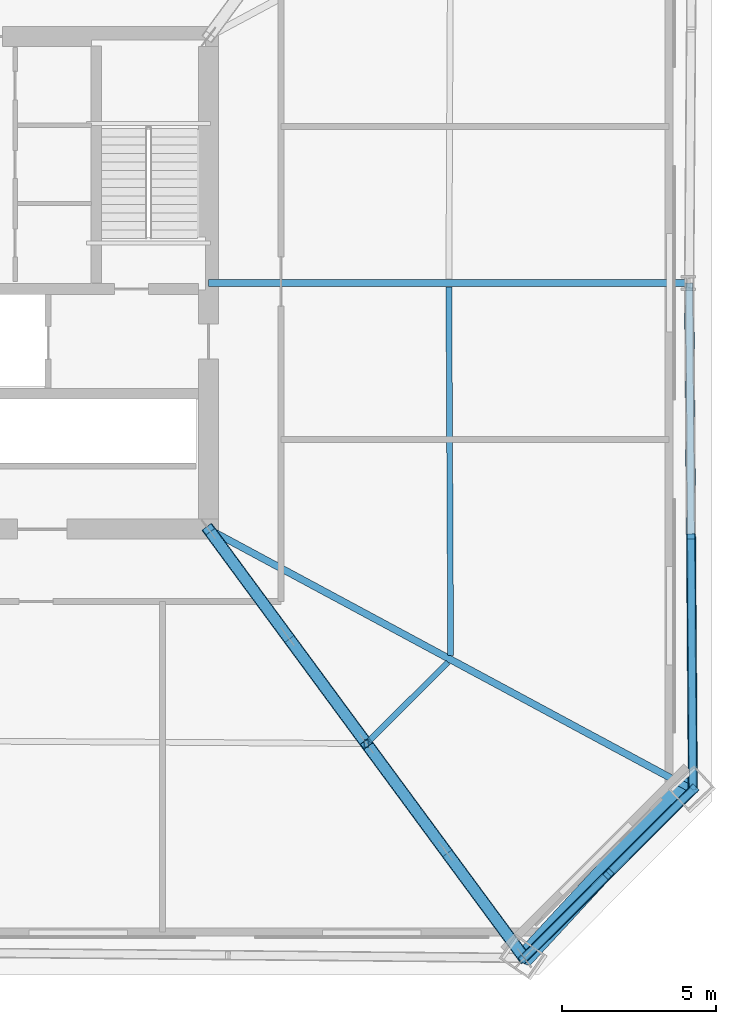
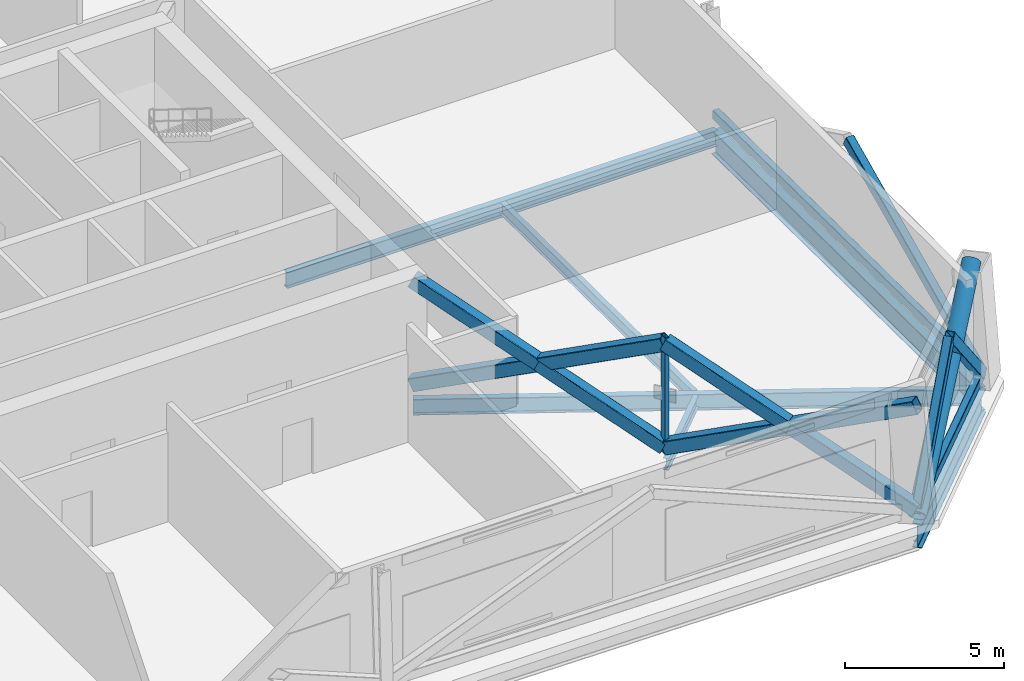
# One storey, part 4 of 14: 13 members, 6 beams.
"""IFC4 building model written with IfcOpenShell, lengths in metres."""

from ifc_helpers import new_model, si_unit, direction, frame, origin, origin_2d, place, context, subcontext, project, spatial, hollow_rectangle, hollow_circle, i_section, extrude, material, material_profile, profile_set, type_object, element, save


model = new_model("IFC4")

# Units and contexts
model_context = context("Model", 3, precision=1e-05, world=origin(), true_north=direction((0.0, 1.0)))
body_context = subcontext(model_context, "Body", "Model", "MODEL_VIEW")
ifc_project = project(units=[si_unit("LENGTHUNIT", "METRE"), si_unit("AREAUNIT", "SQUARE_METRE"), si_unit("VOLUMEUNIT", "CUBIC_METRE"), si_unit("PLANEANGLEUNIT", "RADIAN"), si_unit("MASSUNIT", "GRAM", prefix="KILO")], contexts=[model_context])

# Site, building, storey
site_placement = place(None, origin())
site = spatial("IfcSite", under=ifc_project, at=site_placement, CompositionType="ELEMENT")
building_placement = place(site_placement, origin())
building = spatial("IfcBuilding", under=site, at=building_placement, Name="Caelvoria Tower", CompositionType="ELEMENT")
storey_placement = place(building_placement, frame((0.0, 0.0, 85.60009765625)))
storey = spatial("IfcBuildingStorey", under=building, at=storey_placement, Name="L22", CompositionType="ELEMENT", Elevation=85.60009765625)

# Members
ifc_material_1 = material(Name="Structural Steel ASTM A572 Gr.50", Category="steel")
ifc_material_profile_1 = material_profile(ifc_material_1, hollow_rectangle(XDim=0.25, YDim=0.35009765625, WallThickness=0.013916015625, InnerFilletRadius=0.013916015625, OuterFilletRadius=0.028076171875, at=origin_2d()), Name="Structural Steel ASTM A572 Gr.50")
ifc_profile_set_1 = profile_set([ifc_material_profile_1], Name="HSS350X250X14 - Structural Steel ASTM A572 Gr.50")
member_type_1 = type_object("IfcMemberType", Name="Belt Truss Chord Member HSS350X250X14", PredefinedType="CHORD", material=ifc_profile_set_1)
member_1_placement = place(storey_placement, frame((65.25830078125, 10.07421875, 0.25), z_axis=(0.708242693493, 0.705969041186, 0.0), x_axis=(-0.705969041186, 0.708242693493, 0.0)))
element("IfcMember", 1, at=member_1_placement, inside=storey, type_object=member_type_1, Name="Belt Truss Bottom Chord L22-02", PredefinedType="CHORD", context=body_context, shape_type="SweptSolid", body=[
    extrude(hollow_rectangle(XDim=0.25, YDim=0.35009765625, WallThickness=0.013916015625, InnerFilletRadius=0.013916015625, OuterFilletRadius=0.028076171875, at=origin_2d()), origin(), (0.0, 0.0, 1.0), 7.731201171875),
])
member_2_placement = place(storey_placement, frame((70.73388671875, 15.5322265625, 0.25), z_axis=(-0.007323530098, 0.999973182594, 0.0), x_axis=(-0.999973182594, -0.007323530098, 0.0)))
element("IfcMember", 2, at=member_2_placement, inside=storey, type_object=member_type_1, Name="Belt Truss Bottom Chord L22-03", PredefinedType="CHORD", context=body_context, shape_type="SweptSolid", body=[
    extrude(hollow_rectangle(XDim=0.25, YDim=0.35009765625, WallThickness=0.013916015625, InnerFilletRadius=0.013916015625, OuterFilletRadius=0.028076171875, at=origin_2d()), origin(), (0.0, 0.0, 1.0), 16.46826171875),
])
ifc_material_profile_2 = material_profile(ifc_material_1, hollow_rectangle(XDim=0.300048828125, YDim=0.39990234375, WallThickness=0.01611328125, InnerFilletRadius=0.01611328125, OuterFilletRadius=0.031982421875, at=origin_2d()), Name="Structural Steel ASTM A572 Gr.50")
ifc_profile_set_2 = profile_set([ifc_material_profile_2], Name="HSS400X300X16 - Structural Steel ASTM A572 Gr.50")
member_type_2 = type_object("IfcMemberType", Name="Belt Truss Diagonal HSS400X300X16", PredefinedType="BRACE", material=ifc_profile_set_2)
for number, where, z_axis, x_axis, name in (
    (3, (65.25830078125, 10.07421875, 0.25), (0.493450508145, 0.491866397365, 0.717338165132), (-0.705969041186, 0.708242693493, 0.0), "Belt Truss Diagonal L22-02A"),
    (4, (67.99609375, 12.80322265625, 4.22998046875), (0.493450508145, 0.491866397365, -0.717338165132), (-0.705969041186, 0.708242693493, 0.0), "Belt Truss Diagonal L22-02B"),
):
    element("IfcMember", number, at=place(storey_placement, frame(where, z_axis=z_axis, x_axis=x_axis)), inside=storey, type_object=member_type_2, Name=name, PredefinedType="BRACE", context=body_context, shape_type="SweptSolid", body=[
        extrude(hollow_rectangle(XDim=0.300048828125, YDim=0.39990234375, WallThickness=0.01611328125, InnerFilletRadius=0.01611328125, OuterFilletRadius=0.031982421875, at=origin_2d()), origin(), (0.0, 0.0, 1.0), 5.54833984375),
    ])
member_3_placement = place(storey_placement, frame((70.73388671875, 15.5322265625, 0.25), z_axis=(-0.006593681882, 0.900317875093, 0.435183004203), x_axis=(-0.999973182594, -0.007323530098, 0.0)))
element("IfcMember", 5, at=member_3_placement, inside=storey, type_object=member_type_2, Name="Belt Truss Diagonal L22-03A", PredefinedType="BRACE", context=body_context, shape_type="SweptSolid", body=[
    extrude(hollow_rectangle(XDim=0.300048828125, YDim=0.39990234375, WallThickness=0.01611328125, InnerFilletRadius=0.01611328125, OuterFilletRadius=0.031982421875, at=origin_2d()), origin(), (0.0, 0.0, 1.0), 9.1455078125),
])
ifc_material_profile_3 = material_profile(ifc_material_1, hollow_circle(Radius=0.304931640625, WallThickness=0.02490234375, at=origin_2d()), Name="Structural Steel ASTM A572 Gr.50")
ifc_profile_set_3 = profile_set([ifc_material_profile_3], Name="CHS610X25 - Structural Steel ASTM A572 Gr.50")
member_type_3 = type_object("IfcMemberType", Name="Lower Perimeter Mega Brace CHS610X25", PredefinedType="BRACE", material=ifc_profile_set_3)
member_4_placement = place(storey_placement, frame((65.25830078125, 10.07421875, 0.0), z_axis=(0.587527871017, 0.635786068715, 0.500586731353), x_axis=(-0.734430016076, 0.678684427025, 0.0)))
element("IfcMember", 6, at=member_4_placement, inside=storey, type_object=member_type_3, Name="Perimeter Chamfer Mega Brace L22 SE", PredefinedType="BRACE", context=body_context, shape_type="SweptSolid", body=[
    extrude(hollow_circle(Radius=0.304931640625, WallThickness=0.02490234375, at=origin_2d()), origin(), (0.0, 0.0, 1.0), 8.949462890625),
])
ifc_material_profile_4 = material_profile(ifc_material_1, hollow_rectangle(XDim=0.39990234375, YDim=0.5, WallThickness=0.02197265625, InnerFilletRadius=0.02197265625, OuterFilletRadius=0.0439453125, at=origin_2d()), Name="Structural Steel ASTM A572 Gr.50")
ifc_profile_set_4 = profile_set([ifc_material_profile_4], Name="HSS500X400X22 - Structural Steel ASTM A572 Gr.50")
member_type_4 = type_object("IfcMemberType", Name="Outrigger Diagonal HSS500X400X22", PredefinedType="BRACE", material=ifc_profile_set_4)
member_5_placement = place(storey_placement, frame((55.0, 24.0, 0.25), z_axis=(0.538776675709, -0.731396581999, 0.418065465629), x_axis=(0.805133172892, 0.593094068348, 0.0)))
element("IfcMember", 7, at=member_5_placement, inside=storey, type_object=member_type_4, Name="Outrigger Truss Diagonal L22-SE-1A", PredefinedType="BRACE", context=body_context, shape_type="SweptSolid", body=[
    extrude(hollow_rectangle(XDim=0.39990234375, YDim=0.5, WallThickness=0.02197265625, InnerFilletRadius=0.02197265625, OuterFilletRadius=0.0439453125, at=origin_2d()), origin(), (0.0, 0.0, 1.0), 9.52001953125),
])
for number, where, z_axis, x_axis, name in (
    (8, (55.0, 24.0, 4.22998046875), (0.538758474541, -0.731406687638, -0.418071242001), (0.805146653518, 0.593075767781, 0.0), "Outrigger Truss Diagonal L22-SE-1B1"),
    (9, (57.564453125, 20.5185546875, 2.239990234375), (0.538794876123, -0.731386476298, -0.418059689222), (0.805119692301, 0.593112367996, 0.0), "Outrigger Truss Diagonal L22-SE-1B2"),
):
    element("IfcMember", number, at=place(storey_placement, frame(where, z_axis=z_axis, x_axis=x_axis)), inside=storey, type_object=member_type_4, Name=name, PredefinedType="BRACE", context=body_context, shape_type="SweptSolid", body=[
        extrude(hollow_rectangle(XDim=0.39990234375, YDim=0.5, WallThickness=0.02197265625, InnerFilletRadius=0.02197265625, OuterFilletRadius=0.0439453125, at=origin_2d()), origin(), (0.0, 0.0, 1.0), 4.760009765625),
    ])
member_6_placement = place(storey_placement, frame((60.129150390625, 17.037109375, 0.25), z_axis=(0.538776675709, -0.731396581999, 0.418065465629), x_axis=(0.805133172892, 0.593094068348, 0.0)))
element("IfcMember", 10, at=member_6_placement, inside=storey, type_object=member_type_4, Name="Outrigger Truss Diagonal L22-SE-2A", PredefinedType="BRACE", context=body_context, shape_type="SweptSolid", body=[
    extrude(hollow_rectangle(XDim=0.39990234375, YDim=0.5, WallThickness=0.02197265625, InnerFilletRadius=0.02197265625, OuterFilletRadius=0.0439453125, at=origin_2d()), origin(), (0.0, 0.0, 1.0), 9.52001953125),
])
for number, where, z_axis, x_axis, name in (
    (11, (60.129150390625, 17.037109375, 4.22998046875), (0.538758474541, -0.731406687638, -0.418071242001), (0.805146653518, 0.593075767781, 0.0), "Outrigger Truss Diagonal L22-SE-2B1"),
    (12, (62.693603515625, 13.5556640625, 2.239990234375), (0.538794876123, -0.731386476298, -0.418059689222), (0.805119692301, 0.593112367996, 0.0), "Outrigger Truss Diagonal L22-SE-2B2"),
):
    element("IfcMember", number, at=place(storey_placement, frame(where, z_axis=z_axis, x_axis=x_axis)), inside=storey, type_object=member_type_4, Name=name, PredefinedType="BRACE", context=body_context, shape_type="SweptSolid", body=[
        extrude(hollow_rectangle(XDim=0.39990234375, YDim=0.5, WallThickness=0.02197265625, InnerFilletRadius=0.02197265625, OuterFilletRadius=0.0439453125, at=origin_2d()), origin(), (0.0, 0.0, 1.0), 4.760009765625),
    ])

# Beams
ifc_material_2 = material(Name="Structural Steel ASTM A992 Gr.50", Category="steel")
ifc_material_profile_5 = material_profile(ifc_material_2, i_section(OverallWidth=0.30810546875, OverallDepth=0.927001953125, WebThickness=0.019287109375, FlangeThickness=0.031982421875, FilletRadius=0.02392578125, at=origin_2d()), Name="Structural Steel ASTM A992 Gr.50")
ifc_profile_set_5 = profile_set([ifc_material_profile_5], Name="W920X289 - Structural Steel ASTM A992 Gr.50")
beam_type_1 = type_object("IfcBeamType", Name="Outrigger Tie Girder W920X289", PredefinedType="BEAM", material=ifc_profile_set_5)
beam_1_placement = place(storey_placement, frame((65.25830078125, 10.07421875, -0.78369140625), z_axis=(0.708242693493, 0.705969041186, 0.0), x_axis=(-0.705969041186, 0.708242693493, 0.0)))
element("IfcBeam", 13, at=beam_1_placement, inside=storey, type_object=beam_type_1, Name="Perimeter Spandrel Girder L22-02", PredefinedType="BEAM", context=body_context, shape_type="SweptSolid", body=[
    extrude(i_section(OverallWidth=0.30810546875, OverallDepth=0.927001953125, WebThickness=0.019287109375, FlangeThickness=0.031982421875, FilletRadius=0.02392578125, at=origin_2d()), origin(), (0.0, 0.0, 1.0), 7.731201171875),
])
beam_2_placement = place(storey_placement, frame((70.73388671875, 15.5322265625, -0.78369140625), z_axis=(-0.007323530098, 0.999973182594, 0.0), x_axis=(-0.999973182594, -0.007323530098, 0.0)))
element("IfcBeam", 14, at=beam_2_placement, inside=storey, type_object=beam_type_1, Name="Perimeter Spandrel Girder L22-03", PredefinedType="BEAM", context=body_context, shape_type="SweptSolid", body=[
    extrude(i_section(OverallWidth=0.30810546875, OverallDepth=0.927001953125, WebThickness=0.019287109375, FlangeThickness=0.031982421875, FilletRadius=0.02392578125, at=origin_2d()), origin(), (0.0, 0.0, 1.0), 16.46826171875),
])
ifc_material_profile_6 = material_profile(ifc_material_2, i_section(OverallWidth=0.22900390625, OverallDepth=0.612060546875, WebThickness=0.011962890625, FlangeThickness=0.01953125, FilletRadius=0.01806640625, at=origin_2d()), Name="Structural Steel ASTM A992 Gr.50")
ifc_profile_set_6 = profile_set([ifc_material_profile_6], Name="W610X125 - Structural Steel ASTM A992 Gr.50")
beam_type_2 = type_object("IfcBeamType", Name="Primary Radial Floor Girder W610X125", PredefinedType="BEAM", material=ifc_profile_set_6)
beam_3_placement = place(storey_placement, frame((55.0, 24.0, -0.6259765625), z_axis=(0.880571990925, -0.473912406251, 0.0), x_axis=(0.473912406251, 0.880571990925, 0.0)))
element("IfcBeam", 15, at=beam_3_placement, inside=storey, type_object=beam_type_2, Name="Primary Floor Girder L22-03", PredefinedType="BEAM", context=body_context, shape_type="SweptSolid", body=[
    extrude(i_section(OverallWidth=0.22900390625, OverallDepth=0.612060546875, WebThickness=0.011962890625, FlangeThickness=0.01953125, FilletRadius=0.01806640625, at=origin_2d()), origin(), (0.0, 0.0, 1.0), 17.867919921875),
])
beam_4_placement = place(storey_placement, frame((55.0, 32.0, -0.6259765625), z_axis=(1.0, 0.0, 0.0), x_axis=(0.0, 1.0, 0.0)))
element("IfcBeam", 16, at=beam_4_placement, inside=storey, type_object=beam_type_2, Name="Primary Floor Girder L22-04", PredefinedType="BEAM", context=body_context, shape_type="SweptSolid", body=[
    extrude(i_section(OverallWidth=0.22900390625, OverallDepth=0.612060546875, WebThickness=0.011962890625, FlangeThickness=0.01953125, FilletRadius=0.01806640625, at=origin_2d()), origin(), (0.0, 0.0, 1.0), 15.61328125),
])
ifc_material_profile_7 = material_profile(ifc_material_2, i_section(OverallWidth=0.18994140625, OverallDepth=0.45703125, WebThickness=0.009033203125, FlangeThickness=0.014404296875, FilletRadius=0.014892578125, at=origin_2d()), Name="Structural Steel ASTM A992 Gr.50")
ifc_profile_set_7 = profile_set([ifc_material_profile_7], Name="W460X74 - Structural Steel ASTM A992 Gr.50")
beam_type_3 = type_object("IfcBeamType", Name="Secondary Floor Beam W460X74", PredefinedType="BEAM", material=ifc_profile_set_7)
beam_5_placement = place(storey_placement, frame((60.217529296875, 17.12548828125, -0.548583984375), z_axis=(0.708287398266, 0.705924189597, 0.0), x_axis=(-0.705924189597, 0.708287398266, 0.0)))
element("IfcBeam", 17, at=beam_5_placement, inside=storey, type_object=beam_type_3, Name="Secondary Floor Beam L22-02", PredefinedType="BEAM", context=body_context, shape_type="SweptSolid", body=[
    extrude(i_section(OverallWidth=0.18994140625, OverallDepth=0.45703125, WebThickness=0.009033203125, FlangeThickness=0.014404296875, FilletRadius=0.014892578125, at=origin_2d()), origin(), (0.0, 0.0, 1.0), 3.61572265625),
])
beam_6_placement = place(storey_placement, frame((62.866455078125, 19.89111328125, -0.548583984375), z_axis=(-0.004950434389, 0.999987746525, 0.0), x_axis=(-0.999987746525, -0.004950434389, 0.0)))
element("IfcBeam", 18, at=beam_6_placement, inside=storey, type_object=beam_type_3, Name="Secondary Floor Beam L22-03", PredefinedType="BEAM", context=body_context, shape_type="SweptSolid", body=[
    extrude(i_section(OverallWidth=0.18994140625, OverallDepth=0.45703125, WebThickness=0.009033203125, FlangeThickness=0.014404296875, FilletRadius=0.014892578125, at=origin_2d()), origin(), (0.0, 0.0, 1.0), 11.984130859375),
])

# Member
ifc_material_profile_8 = material_profile(ifc_material_1, hollow_rectangle(XDim=0.14990234375, YDim=0.25, WallThickness=0.010009765625, InnerFilletRadius=0.010009765625, OuterFilletRadius=0.02001953125, at=origin_2d()), Name="Structural Steel ASTM A572 Gr.50")
ifc_profile_set_8 = profile_set([ifc_material_profile_8], Name="HSS250X150X10 - Structural Steel ASTM A572 Gr.50")
member_type_5 = type_object("IfcMemberType", Name="Sky Pool Truss Post HSS250X150X10", PredefinedType="POST", material=ifc_profile_set_8)
member_7_placement = place(storey_placement, frame((60.129150390625, 17.037109375, 0.0), z_axis=(0.0, 0.0, 1.0), x_axis=(1.0, 0.0, 0.0)))
element("IfcMember", 19, at=member_7_placement, inside=storey, type_object=member_type_5, Name="Outrigger Mid-Panel Post L22-SE", PredefinedType="POST", context=body_context, shape_type="SweptSolid", body=[
    extrude(hollow_rectangle(XDim=0.14990234375, YDim=0.25, WallThickness=0.010009765625, InnerFilletRadius=0.010009765625, OuterFilletRadius=0.02001953125, at=origin_2d()), origin(), (0.0, 0.0, 1.0), 4.47998046875),
])

save(model, "model.ifc")
